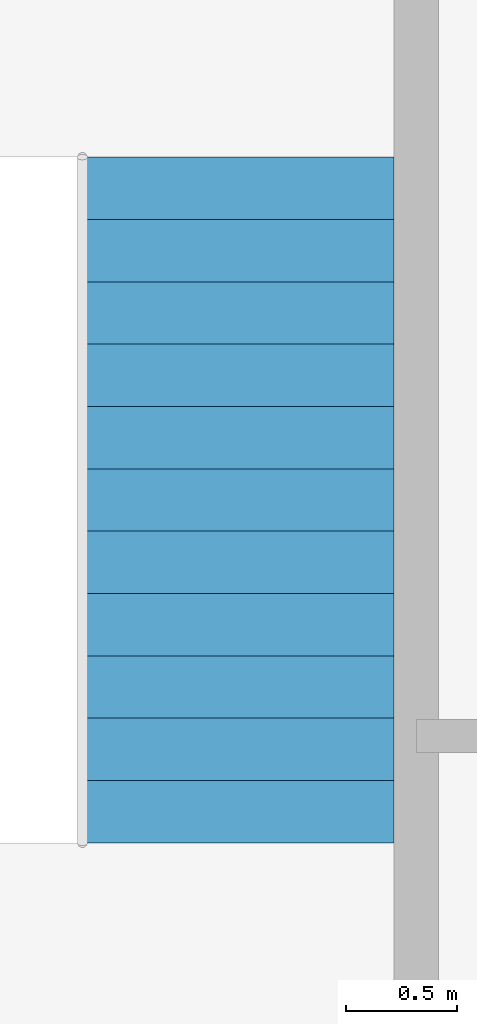
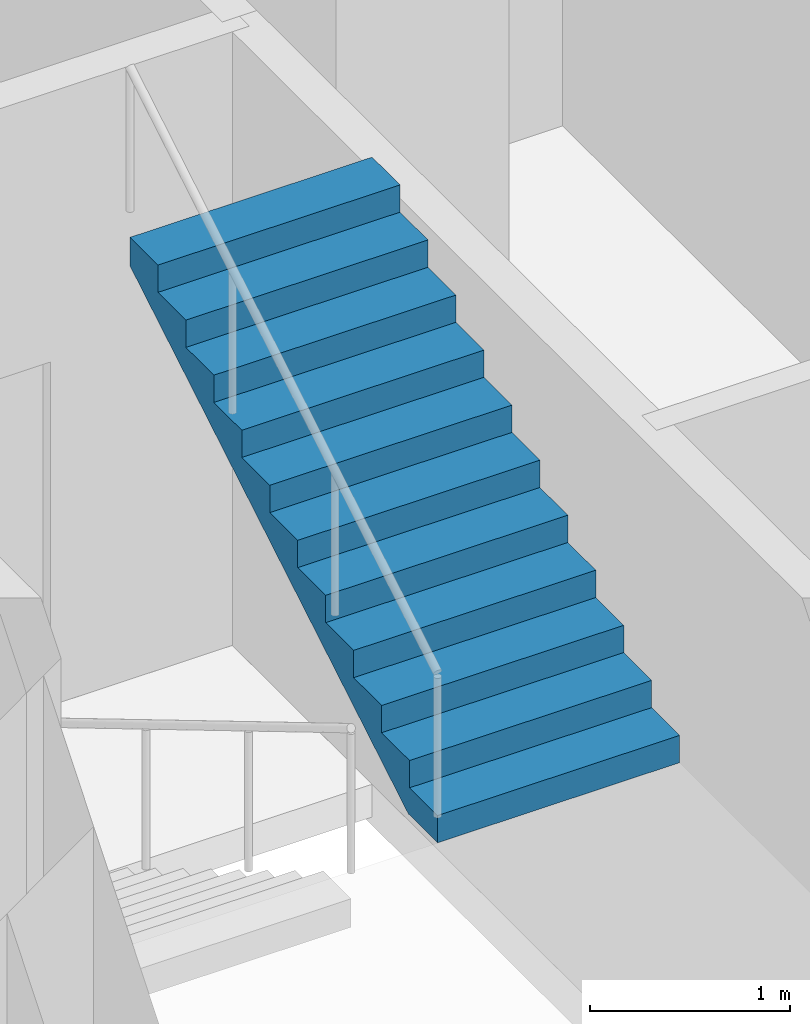
# One storey, part 12 of 13: 1 stair flight, 1 element without a shape of its own.
"""IFC4 building model written with IfcOpenShell, lengths in metres."""

from ifc_helpers import new_model, si_unit, direction, frame, origin, place, context, subcontext, project, spatial, polyline, outline, extrude, material, type_object, element, aggregate, save


model = new_model("IFC4")

# Units and contexts
model_context = context("Model", 3, precision=1e-05, world=origin(), true_north=direction((0.0, 1.0)))
body_context = subcontext(model_context, "Body", "Model", "MODEL_VIEW")
ifc_project = project(units=[si_unit("LENGTHUNIT", "METRE"), si_unit("AREAUNIT", "SQUARE_METRE"), si_unit("VOLUMEUNIT", "CUBIC_METRE"), si_unit("PLANEANGLEUNIT", "RADIAN"), si_unit("MASSUNIT", "GRAM", prefix="KILO")], contexts=[model_context])

# Site, building, storey
site_placement = place(None, origin())
site = spatial("IfcSite", under=ifc_project, at=site_placement, CompositionType="ELEMENT")
building_placement = place(site_placement, origin())
building = spatial("IfcBuilding", under=site, at=building_placement, Name="Malebo Sky Hospital", CompositionType="ELEMENT")
storey_placement = place(building_placement, frame((0.0, 0.0, 75.0)))
storey = spatial("IfcBuildingStorey", under=building, at=storey_placement, Name="L17", CompositionType="ELEMENT", Elevation=75.0)

# Stair, stair flight
ifc_material = material(Name="Concrete C40/50", Category="concrete")
stair_type = type_object("IfcStairType", Name="HALF-TURN STAIR 1400 R167", PredefinedType="HALF_TURN_STAIR", material=ifc_material)
stair_placement = place(storey_placement, origin())
stair = element("IfcStair", 1, at=stair_placement, inside=storey, type_object=stair_type, Name="Stair S3 L17 type ST1B", PredefinedType="HALF_TURN_STAIR")
stair_flight_type = type_object("IfcStairFlightType", Name="STAIR FLIGHT 1400 R167", PredefinedType="STRAIGHT", material=ifc_material)
stair_flight_placement = place(storey_placement, frame((71.699951171875, 70.52001953125, 2.0), z_axis=(0.0, 0.0, 1.0), x_axis=(0.0, 1.0, 0.0)))
stair_flight = element("IfcStairFlight", 2, at=stair_flight_placement, type_object=stair_flight_type, Name="S3 flight 2 type SF1B", NumberOfRisers=12, NumberOfTreads=11, PredefinedType="STRAIGHT", RiserHeight=0.166666667, TreadLength=0.28, context=body_context, shape_type="SweptSolid", body=[
    extrude(outline(polyline([(0.0, 0.0), (0.0, 0.166748046875), (0.280029296875, 0.166748046875), (0.280029296875, 0.333251953125), (0.56005859375, 0.333251953125), (0.56005859375, 0.5), (0.840087890625, 0.5), (0.840087890625, 0.666748046875), (1.1201171875, 0.666748046875), (1.1201171875, 0.833251953125), (1.39990234375, 0.833251953125), (1.39990234375, 1.0), (1.679931640625, 1.0), (1.679931640625, 1.166748046875), (1.9599609375, 1.166748046875), (1.9599609375, 1.333251953125), (2.239990234375, 1.333251953125), (2.239990234375, 1.5), (2.52001953125, 1.5), (2.52001953125, 1.666748046875), (2.800048828125, 1.666748046875), (2.800048828125, 1.833251953125), (3.080078125, 1.833251953125), (3.080078125, 2.0), (3.080078125, 1.658935546875), (0.29296875, 0.0), (0.0, 0.0)])), frame((0.0, 0.699951171875, 0.0), z_axis=(0.0, -1.0, 0.0), x_axis=(1.0, 0.0, 0.0)), (0.0, 0.0, 1.0), 1.39990234375),
])
aggregate(stair, [stair_flight])

save(model, "model.ifc")
